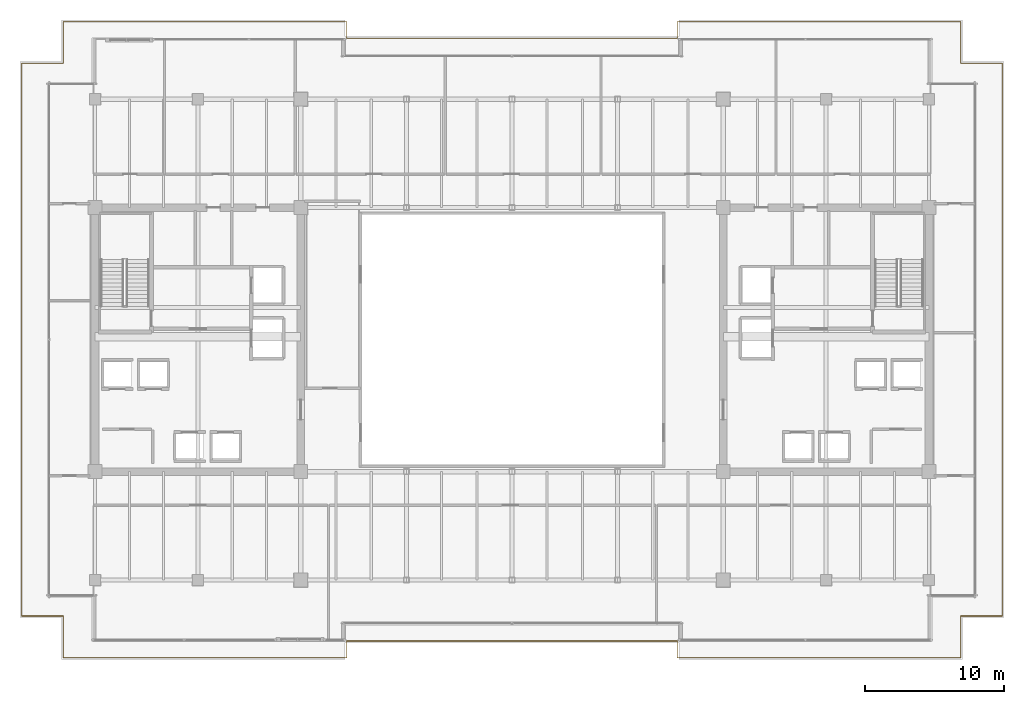
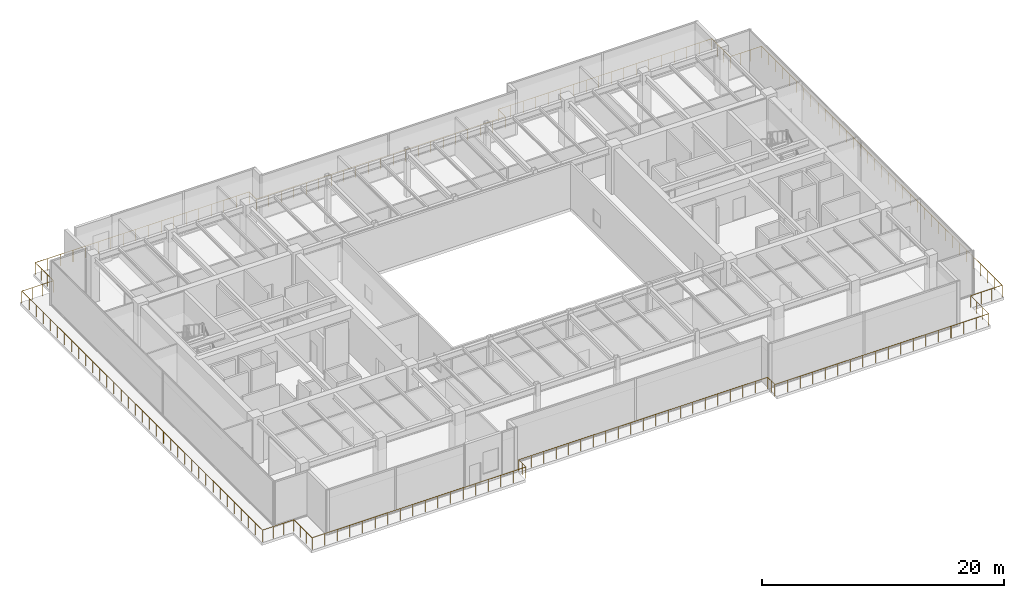
# One storey, part 35 of 37: 1 railing.
"""IFC4 building model written with IfcOpenShell, lengths in metres."""

from ifc_helpers import new_model, si_unit, direction, frame, origin, origin_2d, place, context, subcontext, project, spatial, circle, extrude, source, transform, mapped, material, type_object, type_shapes, element, save


model = new_model("IFC4")

# Units and contexts
model_context = context("Model", 3, precision=1e-05, world=origin(), true_north=direction((0.0, 1.0)))
body_context = subcontext(model_context, "Body", "Model", "MODEL_VIEW")
ifc_project = project(units=[si_unit("LENGTHUNIT", "METRE"), si_unit("AREAUNIT", "SQUARE_METRE"), si_unit("VOLUMEUNIT", "CUBIC_METRE"), si_unit("PLANEANGLEUNIT", "RADIAN"), si_unit("MASSUNIT", "GRAM", prefix="KILO")], contexts=[model_context])

# Site, building, storey
site_placement = place(None, origin())
site = spatial("IfcSite", under=ifc_project, at=site_placement, CompositionType="ELEMENT")
building_placement = place(site_placement, origin())
building = spatial("IfcBuilding", under=site, at=building_placement, Name="Haelvirn Gate Laboratories", CompositionType="ELEMENT")
storey_placement = place(building_placement, frame((0.0, 0.0, 196.60009765625)))
storey = spatial("IfcBuildingStorey", under=building, at=storey_placement, Name="L47", CompositionType="ELEMENT", Elevation=196.60009765625)

# Railing
ifc_material = material(Name="Laminated safety glass & bronze stainless steel 316L", Category="steel")
railing_type = type_object("IfcRailingType", Name="RLG-BAL-1200", PredefinedType="BALUSTRADE", material=ifc_material)
shared_shape = source(origin(), body_context, "Body", "SweptSolid", [
    extrude(circle(Radius=0.02392578125, at=origin_2d()), frame((0.0, 0.0, 1.17578125), z_axis=(1.0, 0.0, 0.0), x_axis=(0.0, 1.0, 0.0)), (0.0, 0.0, 1.0), 20.39990234375),
    extrude(circle(Radius=0.02392578125, at=origin_2d()), frame((20.39990234375, 0.0, 1.17578125), z_axis=(0.0, 1.0, 0.0), x_axis=(-1.0, 0.0, 0.0)), (0.0, 0.0, 1.0), 1.2001953125),
    extrude(circle(Radius=0.02392578125, at=origin_2d()), frame((20.39990234375, 1.2001953125, 1.17578125), z_axis=(1.0, 0.0, 0.0), x_axis=(0.0, 1.0, 0.0)), (0.0, 0.0, 1.0), 23.760009765625),
    extrude(circle(Radius=0.02392578125, at=origin_2d()), frame((44.159912109375, 1.2001953125, 1.17578125), z_axis=(0.0, -1.0, 0.0), x_axis=(1.0, 0.0, 0.0)), (0.0, 0.0, 1.0), 1.2001953125),
    extrude(circle(Radius=0.02392578125, at=origin_2d()), frame((44.159912109375, 0.0, 1.17578125), z_axis=(1.0, 0.0, 0.0), x_axis=(0.0, 1.0, 0.0)), (0.0, 0.0, 1.0), 20.39990234375),
    extrude(circle(Radius=0.02392578125, at=origin_2d()), frame((64.559814453125, 0.0, 1.17578125), z_axis=(0.0, 1.0, 0.0), x_axis=(-1.0, 0.0, 0.0)), (0.0, 0.0, 1.0), 3.0),
    extrude(circle(Radius=0.02392578125, at=origin_2d()), frame((64.559814453125, 3.0, 1.17578125), z_axis=(1.0, 0.0, 0.0), x_axis=(0.0, 1.0, 0.0)), (0.0, 0.0, 1.0), 3.0),
    extrude(circle(Radius=0.02392578125, at=origin_2d()), frame((67.559814453125, 3.0, 1.17578125), z_axis=(0.0, 1.0, 0.0), x_axis=(-1.0, 0.0, 0.0)), (0.0, 0.0, 1.0), 39.760009765625),
    extrude(circle(Radius=0.02392578125, at=origin_2d()), frame((67.559814453125, 42.760009765625, 1.17578125), z_axis=(-1.0, 0.0, 0.0), x_axis=(0.0, -1.0, 0.0)), (0.0, 0.0, 1.0), 3.0),
    extrude(circle(Radius=0.02392578125, at=origin_2d()), frame((64.559814453125, 42.760009765625, 1.17578125), z_axis=(0.0, 1.0, 0.0), x_axis=(-1.0, 0.0, 0.0)), (0.0, 0.0, 1.0), 3.0),
    extrude(circle(Radius=0.02392578125, at=origin_2d()), frame((64.559814453125, 45.760009765625, 1.17578125), z_axis=(-1.0, 0.0, 0.0), x_axis=(0.0, -1.0, 0.0)), (0.0, 0.0, 1.0), 20.39990234375),
    extrude(circle(Radius=0.02392578125, at=origin_2d()), frame((44.159912109375, 45.760009765625, 1.17578125), z_axis=(0.0, -1.0, 0.0), x_axis=(1.0, 0.0, 0.0)), (0.0, 0.0, 1.0), 1.199951171875),
    extrude(circle(Radius=0.02392578125, at=origin_2d()), frame((44.159912109375, 44.56005859375, 1.17578125), z_axis=(-1.0, 0.0, 0.0), x_axis=(0.0, -1.0, 0.0)), (0.0, 0.0, 1.0), 23.760009765625),
    extrude(circle(Radius=0.02392578125, at=origin_2d()), frame((20.39990234375, 44.56005859375, 1.17578125), z_axis=(0.0, 1.0, 0.0), x_axis=(-1.0, 0.0, 0.0)), (0.0, 0.0, 1.0), 1.199951171875),
    extrude(circle(Radius=0.02392578125, at=origin_2d()), frame((20.39990234375, 45.760009765625, 1.17578125), z_axis=(-1.0, 0.0, 0.0), x_axis=(0.0, -1.0, 0.0)), (0.0, 0.0, 1.0), 20.39990234375),
    extrude(circle(Radius=0.02392578125, at=origin_2d()), frame((0.0, 45.760009765625, 1.17578125), z_axis=(0.0, -1.0, 0.0), x_axis=(1.0, 0.0, 0.0)), (0.0, 0.0, 1.0), 3.0),
    extrude(circle(Radius=0.02392578125, at=origin_2d()), frame((0.0, 42.760009765625, 1.17578125), z_axis=(-1.0, 0.0, 0.0), x_axis=(0.0, -1.0, 0.0)), (0.0, 0.0, 1.0), 3.0),
    extrude(circle(Radius=0.02392578125, at=origin_2d()), frame((-3.0, 42.760009765625, 1.17578125), z_axis=(0.0, -1.0, 0.0), x_axis=(1.0, 0.0, 0.0)), (0.0, 0.0, 1.0), 39.760009765625),
    extrude(circle(Radius=0.02392578125, at=origin_2d()), frame((-3.0, 3.0, 1.17578125), z_axis=(1.0, 0.0, 0.0), x_axis=(0.0, 1.0, 0.0)), (0.0, 0.0, 1.0), 3.0),
    extrude(circle(Radius=0.02392578125, at=origin_2d()), frame((0.0, 3.0, 1.17578125), z_axis=(0.0, -1.0, 0.0), x_axis=(1.0, 0.0, 0.0)), (0.0, 0.0, 1.0), 3.0),
    extrude(circle(Radius=0.02099609375, at=origin_2d()), origin(), (0.0, 0.0, 1.0), 1.15185546875),
    extrude(circle(Radius=0.02099609375, at=origin_2d()), frame((1.199951171875, 0.0, 0.0)), (0.0, 0.0, 1.0), 1.15185546875),
    extrude(circle(Radius=0.02099609375, at=origin_2d()), frame((2.39990234375, 0.0, 0.0)), (0.0, 0.0, 1.0), 1.15185546875),
    extrude(circle(Radius=0.02099609375, at=origin_2d()), frame((3.60009765625, 0.0, 0.0)), (0.0, 0.0, 1.0), 1.15185546875),
    extrude(circle(Radius=0.02099609375, at=origin_2d()), frame((4.800048828125, 0.0, 0.0)), (0.0, 0.0, 1.0), 1.15185546875),
    extrude(circle(Radius=0.02099609375, at=origin_2d()), frame((6.0, 0.0, 0.0)), (0.0, 0.0, 1.0), 1.15185546875),
    extrude(circle(Radius=0.02099609375, at=origin_2d()), frame((7.199951171875, 0.0, 0.0)), (0.0, 0.0, 1.0), 1.15185546875),
    extrude(circle(Radius=0.02099609375, at=origin_2d()), frame((8.39990234375, 0.0, 0.0)), (0.0, 0.0, 1.0), 1.15185546875),
    extrude(circle(Radius=0.02099609375, at=origin_2d()), frame((9.599853515625, 0.0, 0.0)), (0.0, 0.0, 1.0), 1.15185546875),
    extrude(circle(Radius=0.02099609375, at=origin_2d()), frame((10.800048828125, 0.0, 0.0)), (0.0, 0.0, 1.0), 1.15185546875),
    extrude(circle(Radius=0.02099609375, at=origin_2d()), frame((12.0, 0.0, 0.0)), (0.0, 0.0, 1.0), 1.15185546875),
    extrude(circle(Radius=0.02099609375, at=origin_2d()), frame((13.199951171875, 0.0, 0.0)), (0.0, 0.0, 1.0), 1.15185546875),
    extrude(circle(Radius=0.02099609375, at=origin_2d()), frame((14.39990234375, 0.0, 0.0)), (0.0, 0.0, 1.0), 1.15185546875),
    extrude(circle(Radius=0.02099609375, at=origin_2d()), frame((15.599853515625, 0.0, 0.0)), (0.0, 0.0, 1.0), 1.15185546875),
    extrude(circle(Radius=0.02099609375, at=origin_2d()), frame((16.7998046875, 0.0, 0.0)), (0.0, 0.0, 1.0), 1.15185546875),
    extrude(circle(Radius=0.02099609375, at=origin_2d()), frame((18.0, 0.0, 0.0)), (0.0, 0.0, 1.0), 1.15185546875),
    extrude(circle(Radius=0.02099609375, at=origin_2d()), frame((19.199951171875, 0.0, 0.0)), (0.0, 0.0, 1.0), 1.15185546875),
    extrude(circle(Radius=0.02099609375, at=origin_2d()), frame((20.39990234375, 0.0, 0.0)), (0.0, 0.0, 1.0), 1.15185546875),
    extrude(circle(Radius=0.02099609375, at=origin_2d()), frame((20.39990234375, 0.60009765625, 0.0)), (0.0, 0.0, 1.0), 1.15185546875),
    extrude(circle(Radius=0.02099609375, at=origin_2d()), frame((20.39990234375, 1.2001953125, 0.0)), (0.0, 0.0, 1.0), 1.15185546875),
    extrude(circle(Radius=0.02099609375, at=origin_2d()), frame((21.587890625, 1.2001953125, 0.0)), (0.0, 0.0, 1.0), 1.15185546875),
    extrude(circle(Radius=0.02099609375, at=origin_2d()), frame((22.77587890625, 1.2001953125, 0.0)), (0.0, 0.0, 1.0), 1.15185546875),
    extrude(circle(Radius=0.02099609375, at=origin_2d()), frame((23.9638671875, 1.2001953125, 0.0)), (0.0, 0.0, 1.0), 1.15185546875),
    extrude(circle(Radius=0.02099609375, at=origin_2d()), frame((25.15185546875, 1.2001953125, 0.0)), (0.0, 0.0, 1.0), 1.15185546875),
    extrude(circle(Radius=0.02099609375, at=origin_2d()), frame((26.33984375, 1.2001953125, 0.0)), (0.0, 0.0, 1.0), 1.15185546875),
    extrude(circle(Radius=0.02099609375, at=origin_2d()), frame((27.52783203125, 1.2001953125, 0.0)), (0.0, 0.0, 1.0), 1.15185546875),
    extrude(circle(Radius=0.02099609375, at=origin_2d()), frame((28.7158203125, 1.2001953125, 0.0)), (0.0, 0.0, 1.0), 1.15185546875),
    extrude(circle(Radius=0.02099609375, at=origin_2d()), frame((29.90380859375, 1.2001953125, 0.0)), (0.0, 0.0, 1.0), 1.15185546875),
    extrude(circle(Radius=0.02099609375, at=origin_2d()), frame((31.091796875, 1.2001953125, 0.0)), (0.0, 0.0, 1.0), 1.15185546875),
    extrude(circle(Radius=0.02099609375, at=origin_2d()), frame((32.27978515625, 1.2001953125, 0.0)), (0.0, 0.0, 1.0), 1.15185546875),
    extrude(circle(Radius=0.02099609375, at=origin_2d()), frame((33.468017578125, 1.2001953125, 0.0)), (0.0, 0.0, 1.0), 1.15185546875),
    extrude(circle(Radius=0.02099609375, at=origin_2d()), frame((34.656005859375, 1.2001953125, 0.0)), (0.0, 0.0, 1.0), 1.15185546875),
    extrude(circle(Radius=0.02099609375, at=origin_2d()), frame((35.843994140625, 1.2001953125, 0.0)), (0.0, 0.0, 1.0), 1.15185546875),
    extrude(circle(Radius=0.02099609375, at=origin_2d()), frame((37.031982421875, 1.2001953125, 0.0)), (0.0, 0.0, 1.0), 1.15185546875),
    extrude(circle(Radius=0.02099609375, at=origin_2d()), frame((38.219970703125, 1.2001953125, 0.0)), (0.0, 0.0, 1.0), 1.15185546875),
    extrude(circle(Radius=0.02099609375, at=origin_2d()), frame((39.407958984375, 1.2001953125, 0.0)), (0.0, 0.0, 1.0), 1.15185546875),
    extrude(circle(Radius=0.02099609375, at=origin_2d()), frame((40.595947265625, 1.2001953125, 0.0)), (0.0, 0.0, 1.0), 1.15185546875),
    extrude(circle(Radius=0.02099609375, at=origin_2d()), frame((41.783935546875, 1.2001953125, 0.0)), (0.0, 0.0, 1.0), 1.15185546875),
    extrude(circle(Radius=0.02099609375, at=origin_2d()), frame((42.971923828125, 1.2001953125, 0.0)), (0.0, 0.0, 1.0), 1.15185546875),
    extrude(circle(Radius=0.02099609375, at=origin_2d()), frame((44.159912109375, 1.2001953125, 0.0)), (0.0, 0.0, 1.0), 1.15185546875),
    extrude(circle(Radius=0.02099609375, at=origin_2d()), frame((44.159912109375, 0.60009765625, 0.0)), (0.0, 0.0, 1.0), 1.15185546875),
    extrude(circle(Radius=0.02099609375, at=origin_2d()), frame((44.159912109375, 0.0, 0.0)), (0.0, 0.0, 1.0), 1.15185546875),
    extrude(circle(Radius=0.02099609375, at=origin_2d()), frame((45.35986328125, 0.0, 0.0)), (0.0, 0.0, 1.0), 1.15185546875),
    extrude(circle(Radius=0.02099609375, at=origin_2d()), frame((46.559814453125, 0.0, 0.0)), (0.0, 0.0, 1.0), 1.15185546875),
    extrude(circle(Radius=0.02099609375, at=origin_2d()), frame((47.760009765625, 0.0, 0.0)), (0.0, 0.0, 1.0), 1.15185546875),
    extrude(circle(Radius=0.02099609375, at=origin_2d()), frame((48.9599609375, 0.0, 0.0)), (0.0, 0.0, 1.0), 1.15185546875),
    extrude(circle(Radius=0.02099609375, at=origin_2d()), frame((50.159912109375, 0.0, 0.0)), (0.0, 0.0, 1.0), 1.15185546875),
    extrude(circle(Radius=0.02099609375, at=origin_2d()), frame((51.35986328125, 0.0, 0.0)), (0.0, 0.0, 1.0), 1.15185546875),
    extrude(circle(Radius=0.02099609375, at=origin_2d()), frame((52.559814453125, 0.0, 0.0)), (0.0, 0.0, 1.0), 1.15185546875),
    extrude(circle(Radius=0.02099609375, at=origin_2d()), frame((53.759765625, 0.0, 0.0)), (0.0, 0.0, 1.0), 1.15185546875),
    extrude(circle(Radius=0.02099609375, at=origin_2d()), frame((54.9599609375, 0.0, 0.0)), (0.0, 0.0, 1.0), 1.15185546875),
    extrude(circle(Radius=0.02099609375, at=origin_2d()), frame((56.159912109375, 0.0, 0.0)), (0.0, 0.0, 1.0), 1.15185546875),
    extrude(circle(Radius=0.02099609375, at=origin_2d()), frame((57.35986328125, 0.0, 0.0)), (0.0, 0.0, 1.0), 1.15185546875),
    extrude(circle(Radius=0.02099609375, at=origin_2d()), frame((58.559814453125, 0.0, 0.0)), (0.0, 0.0, 1.0), 1.15185546875),
    extrude(circle(Radius=0.02099609375, at=origin_2d()), frame((59.759765625, 0.0, 0.0)), (0.0, 0.0, 1.0), 1.15185546875),
    extrude(circle(Radius=0.02099609375, at=origin_2d()), frame((60.959716796875, 0.0, 0.0)), (0.0, 0.0, 1.0), 1.15185546875),
    extrude(circle(Radius=0.02099609375, at=origin_2d()), frame((62.159912109375, 0.0, 0.0)), (0.0, 0.0, 1.0), 1.15185546875),
    extrude(circle(Radius=0.02099609375, at=origin_2d()), frame((63.35986328125, 0.0, 0.0)), (0.0, 0.0, 1.0), 1.15185546875),
    extrude(circle(Radius=0.02099609375, at=origin_2d()), frame((64.559814453125, 0.0, 0.0)), (0.0, 0.0, 1.0), 1.15185546875),
    extrude(circle(Radius=0.02099609375, at=origin_2d()), frame((64.559814453125, 1.0, 0.0)), (0.0, 0.0, 1.0), 1.15185546875),
    extrude(circle(Radius=0.02099609375, at=origin_2d()), frame((64.559814453125, 2.0, 0.0)), (0.0, 0.0, 1.0), 1.15185546875),
    extrude(circle(Radius=0.02099609375, at=origin_2d()), frame((64.559814453125, 3.0, 0.0)), (0.0, 0.0, 1.0), 1.15185546875),
    extrude(circle(Radius=0.02099609375, at=origin_2d()), frame((65.559814453125, 3.0, 0.0)), (0.0, 0.0, 1.0), 1.15185546875),
    extrude(circle(Radius=0.02099609375, at=origin_2d()), frame((66.559814453125, 3.0, 0.0)), (0.0, 0.0, 1.0), 1.15185546875),
    extrude(circle(Radius=0.02099609375, at=origin_2d()), frame((67.559814453125, 3.0, 0.0)), (0.0, 0.0, 1.0), 1.15185546875),
    extrude(circle(Radius=0.02099609375, at=origin_2d()), frame((67.559814453125, 4.16943359375, 0.0)), (0.0, 0.0, 1.0), 1.15185546875),
    extrude(circle(Radius=0.02099609375, at=origin_2d()), frame((67.559814453125, 5.3388671875, 0.0)), (0.0, 0.0, 1.0), 1.15185546875),
    extrude(circle(Radius=0.02099609375, at=origin_2d()), frame((67.559814453125, 6.50830078125, 0.0)), (0.0, 0.0, 1.0), 1.15185546875),
    extrude(circle(Radius=0.02099609375, at=origin_2d()), frame((67.559814453125, 7.677734375, 0.0)), (0.0, 0.0, 1.0), 1.15185546875),
    extrude(circle(Radius=0.02099609375, at=origin_2d()), frame((67.559814453125, 8.84716796875, 0.0)), (0.0, 0.0, 1.0), 1.15185546875),
    extrude(circle(Radius=0.02099609375, at=origin_2d()), frame((67.559814453125, 10.016357421875, 0.0)), (0.0, 0.0, 1.0), 1.15185546875),
    extrude(circle(Radius=0.02099609375, at=origin_2d()), frame((67.559814453125, 11.185791015625, 0.0)), (0.0, 0.0, 1.0), 1.15185546875),
    extrude(circle(Radius=0.02099609375, at=origin_2d()), frame((67.559814453125, 12.355224609375, 0.0)), (0.0, 0.0, 1.0), 1.15185546875),
    extrude(circle(Radius=0.02099609375, at=origin_2d()), frame((67.559814453125, 13.524658203125, 0.0)), (0.0, 0.0, 1.0), 1.15185546875),
    extrude(circle(Radius=0.02099609375, at=origin_2d()), frame((67.559814453125, 14.694091796875, 0.0)), (0.0, 0.0, 1.0), 1.15185546875),
    extrude(circle(Radius=0.02099609375, at=origin_2d()), frame((67.559814453125, 15.863525390625, 0.0)), (0.0, 0.0, 1.0), 1.15185546875),
    extrude(circle(Radius=0.02099609375, at=origin_2d()), frame((67.559814453125, 17.032958984375, 0.0)), (0.0, 0.0, 1.0), 1.15185546875),
    extrude(circle(Radius=0.02099609375, at=origin_2d()), frame((67.559814453125, 18.202392578125, 0.0)), (0.0, 0.0, 1.0), 1.15185546875),
    extrude(circle(Radius=0.02099609375, at=origin_2d()), frame((67.559814453125, 19.371826171875, 0.0)), (0.0, 0.0, 1.0), 1.15185546875),
    extrude(circle(Radius=0.02099609375, at=origin_2d()), frame((67.559814453125, 20.541259765625, 0.0)), (0.0, 0.0, 1.0), 1.15185546875),
    extrude(circle(Radius=0.02099609375, at=origin_2d()), frame((67.559814453125, 21.710693359375, 0.0)), (0.0, 0.0, 1.0), 1.15185546875),
    extrude(circle(Radius=0.02099609375, at=origin_2d()), frame((67.559814453125, 22.8798828125, 0.0)), (0.0, 0.0, 1.0), 1.15185546875),
    extrude(circle(Radius=0.02099609375, at=origin_2d()), frame((67.559814453125, 24.04931640625, 0.0)), (0.0, 0.0, 1.0), 1.15185546875),
    extrude(circle(Radius=0.02099609375, at=origin_2d()), frame((67.559814453125, 25.21875, 0.0)), (0.0, 0.0, 1.0), 1.15185546875),
    extrude(circle(Radius=0.02099609375, at=origin_2d()), frame((67.559814453125, 26.38818359375, 0.0)), (0.0, 0.0, 1.0), 1.15185546875),
    extrude(circle(Radius=0.02099609375, at=origin_2d()), frame((67.559814453125, 27.5576171875, 0.0)), (0.0, 0.0, 1.0), 1.15185546875),
    extrude(circle(Radius=0.02099609375, at=origin_2d()), frame((67.559814453125, 28.72705078125, 0.0)), (0.0, 0.0, 1.0), 1.15185546875),
    extrude(circle(Radius=0.02099609375, at=origin_2d()), frame((67.559814453125, 29.896484375, 0.0)), (0.0, 0.0, 1.0), 1.15185546875),
    extrude(circle(Radius=0.02099609375, at=origin_2d()), frame((67.559814453125, 31.06591796875, 0.0)), (0.0, 0.0, 1.0), 1.15185546875),
    extrude(circle(Radius=0.02099609375, at=origin_2d()), frame((67.559814453125, 32.2353515625, 0.0)), (0.0, 0.0, 1.0), 1.15185546875),
    extrude(circle(Radius=0.02099609375, at=origin_2d()), frame((67.559814453125, 33.40478515625, 0.0)), (0.0, 0.0, 1.0), 1.15185546875),
    extrude(circle(Radius=0.02099609375, at=origin_2d()), frame((67.559814453125, 34.57421875, 0.0)), (0.0, 0.0, 1.0), 1.15185546875),
    extrude(circle(Radius=0.02099609375, at=origin_2d()), frame((67.559814453125, 35.74365234375, 0.0)), (0.0, 0.0, 1.0), 1.15185546875),
    extrude(circle(Radius=0.02099609375, at=origin_2d()), frame((67.559814453125, 36.912841796875, 0.0)), (0.0, 0.0, 1.0), 1.15185546875),
    extrude(circle(Radius=0.02099609375, at=origin_2d()), frame((67.559814453125, 38.082275390625, 0.0)), (0.0, 0.0, 1.0), 1.15185546875),
    extrude(circle(Radius=0.02099609375, at=origin_2d()), frame((67.559814453125, 39.251708984375, 0.0)), (0.0, 0.0, 1.0), 1.15185546875),
    extrude(circle(Radius=0.02099609375, at=origin_2d()), frame((67.559814453125, 40.421142578125, 0.0)), (0.0, 0.0, 1.0), 1.15185546875),
    extrude(circle(Radius=0.02099609375, at=origin_2d()), frame((67.559814453125, 41.590576171875, 0.0)), (0.0, 0.0, 1.0), 1.15185546875),
    extrude(circle(Radius=0.02099609375, at=origin_2d()), frame((67.559814453125, 42.760009765625, 0.0)), (0.0, 0.0, 1.0), 1.15185546875),
    extrude(circle(Radius=0.02099609375, at=origin_2d()), frame((66.559814453125, 42.760009765625, 0.0)), (0.0, 0.0, 1.0), 1.15185546875),
    extrude(circle(Radius=0.02099609375, at=origin_2d()), frame((65.559814453125, 42.760009765625, 0.0)), (0.0, 0.0, 1.0), 1.15185546875),
    extrude(circle(Radius=0.02099609375, at=origin_2d()), frame((64.559814453125, 42.760009765625, 0.0)), (0.0, 0.0, 1.0), 1.15185546875),
    extrude(circle(Radius=0.02099609375, at=origin_2d()), frame((64.559814453125, 43.760009765625, 0.0)), (0.0, 0.0, 1.0), 1.15185546875),
    extrude(circle(Radius=0.02099609375, at=origin_2d()), frame((64.559814453125, 44.760009765625, 0.0)), (0.0, 0.0, 1.0), 1.15185546875),
    extrude(circle(Radius=0.02099609375, at=origin_2d()), frame((64.559814453125, 45.760009765625, 0.0)), (0.0, 0.0, 1.0), 1.15185546875),
    extrude(circle(Radius=0.02099609375, at=origin_2d()), frame((63.35986328125, 45.760009765625, 0.0)), (0.0, 0.0, 1.0), 1.15185546875),
    extrude(circle(Radius=0.02099609375, at=origin_2d()), frame((62.159912109375, 45.760009765625, 0.0)), (0.0, 0.0, 1.0), 1.15185546875),
    extrude(circle(Radius=0.02099609375, at=origin_2d()), frame((60.959716796875, 45.760009765625, 0.0)), (0.0, 0.0, 1.0), 1.15185546875),
    extrude(circle(Radius=0.02099609375, at=origin_2d()), frame((59.759765625, 45.760009765625, 0.0)), (0.0, 0.0, 1.0), 1.15185546875),
    extrude(circle(Radius=0.02099609375, at=origin_2d()), frame((58.559814453125, 45.760009765625, 0.0)), (0.0, 0.0, 1.0), 1.15185546875),
    extrude(circle(Radius=0.02099609375, at=origin_2d()), frame((57.35986328125, 45.760009765625, 0.0)), (0.0, 0.0, 1.0), 1.15185546875),
    extrude(circle(Radius=0.02099609375, at=origin_2d()), frame((56.159912109375, 45.760009765625, 0.0)), (0.0, 0.0, 1.0), 1.15185546875),
    extrude(circle(Radius=0.02099609375, at=origin_2d()), frame((54.9599609375, 45.760009765625, 0.0)), (0.0, 0.0, 1.0), 1.15185546875),
    extrude(circle(Radius=0.02099609375, at=origin_2d()), frame((53.759765625, 45.760009765625, 0.0)), (0.0, 0.0, 1.0), 1.15185546875),
    extrude(circle(Radius=0.02099609375, at=origin_2d()), frame((52.559814453125, 45.760009765625, 0.0)), (0.0, 0.0, 1.0), 1.15185546875),
    extrude(circle(Radius=0.02099609375, at=origin_2d()), frame((51.35986328125, 45.760009765625, 0.0)), (0.0, 0.0, 1.0), 1.15185546875),
    extrude(circle(Radius=0.02099609375, at=origin_2d()), frame((50.159912109375, 45.760009765625, 0.0)), (0.0, 0.0, 1.0), 1.15185546875),
    extrude(circle(Radius=0.02099609375, at=origin_2d()), frame((48.9599609375, 45.760009765625, 0.0)), (0.0, 0.0, 1.0), 1.15185546875),
    extrude(circle(Radius=0.02099609375, at=origin_2d()), frame((47.760009765625, 45.760009765625, 0.0)), (0.0, 0.0, 1.0), 1.15185546875),
    extrude(circle(Radius=0.02099609375, at=origin_2d()), frame((46.559814453125, 45.760009765625, 0.0)), (0.0, 0.0, 1.0), 1.15185546875),
    extrude(circle(Radius=0.02099609375, at=origin_2d()), frame((45.35986328125, 45.760009765625, 0.0)), (0.0, 0.0, 1.0), 1.15185546875),
    extrude(circle(Radius=0.02099609375, at=origin_2d()), frame((44.159912109375, 45.760009765625, 0.0)), (0.0, 0.0, 1.0), 1.15185546875),
    extrude(circle(Radius=0.02099609375, at=origin_2d()), frame((44.159912109375, 44.56005859375, 0.0)), (0.0, 0.0, 1.0), 1.15185546875),
    extrude(circle(Radius=0.02099609375, at=origin_2d()), frame((42.971923828125, 44.56005859375, 0.0)), (0.0, 0.0, 1.0), 1.15185546875),
    extrude(circle(Radius=0.02099609375, at=origin_2d()), frame((41.783935546875, 44.56005859375, 0.0)), (0.0, 0.0, 1.0), 1.15185546875),
    extrude(circle(Radius=0.02099609375, at=origin_2d()), frame((40.595947265625, 44.56005859375, 0.0)), (0.0, 0.0, 1.0), 1.15185546875),
    extrude(circle(Radius=0.02099609375, at=origin_2d()), frame((39.407958984375, 44.56005859375, 0.0)), (0.0, 0.0, 1.0), 1.15185546875),
    extrude(circle(Radius=0.02099609375, at=origin_2d()), frame((38.219970703125, 44.56005859375, 0.0)), (0.0, 0.0, 1.0), 1.15185546875),
    extrude(circle(Radius=0.02099609375, at=origin_2d()), frame((37.031982421875, 44.56005859375, 0.0)), (0.0, 0.0, 1.0), 1.15185546875),
    extrude(circle(Radius=0.02099609375, at=origin_2d()), frame((35.843994140625, 44.56005859375, 0.0)), (0.0, 0.0, 1.0), 1.15185546875),
    extrude(circle(Radius=0.02099609375, at=origin_2d()), frame((34.656005859375, 44.56005859375, 0.0)), (0.0, 0.0, 1.0), 1.15185546875),
    extrude(circle(Radius=0.02099609375, at=origin_2d()), frame((33.468017578125, 44.56005859375, 0.0)), (0.0, 0.0, 1.0), 1.15185546875),
    extrude(circle(Radius=0.02099609375, at=origin_2d()), frame((32.27978515625, 44.56005859375, 0.0)), (0.0, 0.0, 1.0), 1.15185546875),
    extrude(circle(Radius=0.02099609375, at=origin_2d()), frame((31.091796875, 44.56005859375, 0.0)), (0.0, 0.0, 1.0), 1.15185546875),
    extrude(circle(Radius=0.02099609375, at=origin_2d()), frame((29.90380859375, 44.56005859375, 0.0)), (0.0, 0.0, 1.0), 1.15185546875),
    extrude(circle(Radius=0.02099609375, at=origin_2d()), frame((28.7158203125, 44.56005859375, 0.0)), (0.0, 0.0, 1.0), 1.15185546875),
    extrude(circle(Radius=0.02099609375, at=origin_2d()), frame((27.52783203125, 44.56005859375, 0.0)), (0.0, 0.0, 1.0), 1.15185546875),
    extrude(circle(Radius=0.02099609375, at=origin_2d()), frame((26.33984375, 44.56005859375, 0.0)), (0.0, 0.0, 1.0), 1.15185546875),
    extrude(circle(Radius=0.02099609375, at=origin_2d()), frame((25.15185546875, 44.56005859375, 0.0)), (0.0, 0.0, 1.0), 1.15185546875),
    extrude(circle(Radius=0.02099609375, at=origin_2d()), frame((23.9638671875, 44.56005859375, 0.0)), (0.0, 0.0, 1.0), 1.15185546875),
    extrude(circle(Radius=0.02099609375, at=origin_2d()), frame((22.77587890625, 44.56005859375, 0.0)), (0.0, 0.0, 1.0), 1.15185546875),
    extrude(circle(Radius=0.02099609375, at=origin_2d()), frame((21.587890625, 44.56005859375, 0.0)), (0.0, 0.0, 1.0), 1.15185546875),
    extrude(circle(Radius=0.02099609375, at=origin_2d()), frame((20.39990234375, 44.56005859375, 0.0)), (0.0, 0.0, 1.0), 1.15185546875),
    extrude(circle(Radius=0.02099609375, at=origin_2d()), frame((20.39990234375, 45.760009765625, 0.0)), (0.0, 0.0, 1.0), 1.15185546875),
    extrude(circle(Radius=0.02099609375, at=origin_2d()), frame((19.199951171875, 45.760009765625, 0.0)), (0.0, 0.0, 1.0), 1.15185546875),
    extrude(circle(Radius=0.02099609375, at=origin_2d()), frame((18.0, 45.760009765625, 0.0)), (0.0, 0.0, 1.0), 1.15185546875),
    extrude(circle(Radius=0.02099609375, at=origin_2d()), frame((16.7998046875, 45.760009765625, 0.0)), (0.0, 0.0, 1.0), 1.15185546875),
    extrude(circle(Radius=0.02099609375, at=origin_2d()), frame((15.599853515625, 45.760009765625, 0.0)), (0.0, 0.0, 1.0), 1.15185546875),
    extrude(circle(Radius=0.02099609375, at=origin_2d()), frame((14.39990234375, 45.760009765625, 0.0)), (0.0, 0.0, 1.0), 1.15185546875),
    extrude(circle(Radius=0.02099609375, at=origin_2d()), frame((13.199951171875, 45.760009765625, 0.0)), (0.0, 0.0, 1.0), 1.15185546875),
    extrude(circle(Radius=0.02099609375, at=origin_2d()), frame((12.0, 45.760009765625, 0.0)), (0.0, 0.0, 1.0), 1.15185546875),
    extrude(circle(Radius=0.02099609375, at=origin_2d()), frame((10.800048828125, 45.760009765625, 0.0)), (0.0, 0.0, 1.0), 1.15185546875),
    extrude(circle(Radius=0.02099609375, at=origin_2d()), frame((9.599853515625, 45.760009765625, 0.0)), (0.0, 0.0, 1.0), 1.15185546875),
    extrude(circle(Radius=0.02099609375, at=origin_2d()), frame((8.39990234375, 45.760009765625, 0.0)), (0.0, 0.0, 1.0), 1.15185546875),
    extrude(circle(Radius=0.02099609375, at=origin_2d()), frame((7.199951171875, 45.760009765625, 0.0)), (0.0, 0.0, 1.0), 1.15185546875),
    extrude(circle(Radius=0.02099609375, at=origin_2d()), frame((6.0, 45.760009765625, 0.0)), (0.0, 0.0, 1.0), 1.15185546875),
    extrude(circle(Radius=0.02099609375, at=origin_2d()), frame((4.800048828125, 45.760009765625, 0.0)), (0.0, 0.0, 1.0), 1.15185546875),
    extrude(circle(Radius=0.02099609375, at=origin_2d()), frame((3.60009765625, 45.760009765625, 0.0)), (0.0, 0.0, 1.0), 1.15185546875),
    extrude(circle(Radius=0.02099609375, at=origin_2d()), frame((2.39990234375, 45.760009765625, 0.0)), (0.0, 0.0, 1.0), 1.15185546875),
    extrude(circle(Radius=0.02099609375, at=origin_2d()), frame((1.199951171875, 45.760009765625, 0.0)), (0.0, 0.0, 1.0), 1.15185546875),
    extrude(circle(Radius=0.02099609375, at=origin_2d()), frame((0.0, 45.760009765625, 0.0)), (0.0, 0.0, 1.0), 1.15185546875),
    extrude(circle(Radius=0.02099609375, at=origin_2d()), frame((0.0, 44.760009765625, 0.0)), (0.0, 0.0, 1.0), 1.15185546875),
    extrude(circle(Radius=0.02099609375, at=origin_2d()), frame((0.0, 43.760009765625, 0.0)), (0.0, 0.0, 1.0), 1.15185546875),
    extrude(circle(Radius=0.02099609375, at=origin_2d()), frame((0.0, 42.760009765625, 0.0)), (0.0, 0.0, 1.0), 1.15185546875),
    extrude(circle(Radius=0.02099609375, at=origin_2d()), frame((-1.0, 42.760009765625, 0.0)), (0.0, 0.0, 1.0), 1.15185546875),
    extrude(circle(Radius=0.02099609375, at=origin_2d()), frame((-2.0, 42.760009765625, 0.0)), (0.0, 0.0, 1.0), 1.15185546875),
    extrude(circle(Radius=0.02099609375, at=origin_2d()), frame((-3.0, 42.760009765625, 0.0)), (0.0, 0.0, 1.0), 1.15185546875),
    extrude(circle(Radius=0.02099609375, at=origin_2d()), frame((-3.0, 41.590576171875, 0.0)), (0.0, 0.0, 1.0), 1.15185546875),
    extrude(circle(Radius=0.02099609375, at=origin_2d()), frame((-3.0, 40.421142578125, 0.0)), (0.0, 0.0, 1.0), 1.15185546875),
    extrude(circle(Radius=0.02099609375, at=origin_2d()), frame((-3.0, 39.251708984375, 0.0)), (0.0, 0.0, 1.0), 1.15185546875),
    extrude(circle(Radius=0.02099609375, at=origin_2d()), frame((-3.0, 38.082275390625, 0.0)), (0.0, 0.0, 1.0), 1.15185546875),
    extrude(circle(Radius=0.02099609375, at=origin_2d()), frame((-3.0, 36.912841796875, 0.0)), (0.0, 0.0, 1.0), 1.15185546875),
    extrude(circle(Radius=0.02099609375, at=origin_2d()), frame((-3.0, 35.74365234375, 0.0)), (0.0, 0.0, 1.0), 1.15185546875),
    extrude(circle(Radius=0.02099609375, at=origin_2d()), frame((-3.0, 34.57421875, 0.0)), (0.0, 0.0, 1.0), 1.15185546875),
    extrude(circle(Radius=0.02099609375, at=origin_2d()), frame((-3.0, 33.40478515625, 0.0)), (0.0, 0.0, 1.0), 1.15185546875),
    extrude(circle(Radius=0.02099609375, at=origin_2d()), frame((-3.0, 32.2353515625, 0.0)), (0.0, 0.0, 1.0), 1.15185546875),
    extrude(circle(Radius=0.02099609375, at=origin_2d()), frame((-3.0, 31.06591796875, 0.0)), (0.0, 0.0, 1.0), 1.15185546875),
    extrude(circle(Radius=0.02099609375, at=origin_2d()), frame((-3.0, 29.896484375, 0.0)), (0.0, 0.0, 1.0), 1.15185546875),
    extrude(circle(Radius=0.02099609375, at=origin_2d()), frame((-3.0, 28.72705078125, 0.0)), (0.0, 0.0, 1.0), 1.15185546875),
    extrude(circle(Radius=0.02099609375, at=origin_2d()), frame((-3.0, 27.5576171875, 0.0)), (0.0, 0.0, 1.0), 1.15185546875),
    extrude(circle(Radius=0.02099609375, at=origin_2d()), frame((-3.0, 26.38818359375, 0.0)), (0.0, 0.0, 1.0), 1.15185546875),
    extrude(circle(Radius=0.02099609375, at=origin_2d()), frame((-3.0, 25.21875, 0.0)), (0.0, 0.0, 1.0), 1.15185546875),
    extrude(circle(Radius=0.02099609375, at=origin_2d()), frame((-3.0, 24.04931640625, 0.0)), (0.0, 0.0, 1.0), 1.15185546875),
    extrude(circle(Radius=0.02099609375, at=origin_2d()), frame((-3.0, 22.8798828125, 0.0)), (0.0, 0.0, 1.0), 1.15185546875),
    extrude(circle(Radius=0.02099609375, at=origin_2d()), frame((-3.0, 21.710693359375, 0.0)), (0.0, 0.0, 1.0), 1.15185546875),
    extrude(circle(Radius=0.02099609375, at=origin_2d()), frame((-3.0, 20.541259765625, 0.0)), (0.0, 0.0, 1.0), 1.15185546875),
    extrude(circle(Radius=0.02099609375, at=origin_2d()), frame((-3.0, 19.371826171875, 0.0)), (0.0, 0.0, 1.0), 1.15185546875),
    extrude(circle(Radius=0.02099609375, at=origin_2d()), frame((-3.0, 18.202392578125, 0.0)), (0.0, 0.0, 1.0), 1.15185546875),
    extrude(circle(Radius=0.02099609375, at=origin_2d()), frame((-3.0, 17.032958984375, 0.0)), (0.0, 0.0, 1.0), 1.15185546875),
    extrude(circle(Radius=0.02099609375, at=origin_2d()), frame((-3.0, 15.863525390625, 0.0)), (0.0, 0.0, 1.0), 1.15185546875),
    extrude(circle(Radius=0.02099609375, at=origin_2d()), frame((-3.0, 14.694091796875, 0.0)), (0.0, 0.0, 1.0), 1.15185546875),
    extrude(circle(Radius=0.02099609375, at=origin_2d()), frame((-3.0, 13.524658203125, 0.0)), (0.0, 0.0, 1.0), 1.15185546875),
    extrude(circle(Radius=0.02099609375, at=origin_2d()), frame((-3.0, 12.355224609375, 0.0)), (0.0, 0.0, 1.0), 1.15185546875),
    extrude(circle(Radius=0.02099609375, at=origin_2d()), frame((-3.0, 11.185791015625, 0.0)), (0.0, 0.0, 1.0), 1.15185546875),
    extrude(circle(Radius=0.02099609375, at=origin_2d()), frame((-3.0, 10.016357421875, 0.0)), (0.0, 0.0, 1.0), 1.15185546875),
    extrude(circle(Radius=0.02099609375, at=origin_2d()), frame((-3.0, 8.84716796875, 0.0)), (0.0, 0.0, 1.0), 1.15185546875),
    extrude(circle(Radius=0.02099609375, at=origin_2d()), frame((-3.0, 7.677734375, 0.0)), (0.0, 0.0, 1.0), 1.15185546875),
    extrude(circle(Radius=0.02099609375, at=origin_2d()), frame((-3.0, 6.50830078125, 0.0)), (0.0, 0.0, 1.0), 1.15185546875),
    extrude(circle(Radius=0.02099609375, at=origin_2d()), frame((-3.0, 5.3388671875, 0.0)), (0.0, 0.0, 1.0), 1.15185546875),
    extrude(circle(Radius=0.02099609375, at=origin_2d()), frame((-3.0, 4.16943359375, 0.0)), (0.0, 0.0, 1.0), 1.15185546875),
    extrude(circle(Radius=0.02099609375, at=origin_2d()), frame((-3.0, 3.0, 0.0)), (0.0, 0.0, 1.0), 1.15185546875),
    extrude(circle(Radius=0.02099609375, at=origin_2d()), frame((-2.0, 3.0, 0.0)), (0.0, 0.0, 1.0), 1.15185546875),
    extrude(circle(Radius=0.02099609375, at=origin_2d()), frame((-1.0, 3.0, 0.0)), (0.0, 0.0, 1.0), 1.15185546875),
    extrude(circle(Radius=0.02099609375, at=origin_2d()), frame((0.0, 3.0, 0.0)), (0.0, 0.0, 1.0), 1.15185546875),
    extrude(circle(Radius=0.02099609375, at=origin_2d()), frame((0.0, 2.0, 0.0)), (0.0, 0.0, 1.0), 1.15185546875),
    extrude(circle(Radius=0.02099609375, at=origin_2d()), frame((0.0, 1.0, 0.0)), (0.0, 0.0, 1.0), 1.15185546875),
])
type_shapes(railing_type, [shared_shape])
railing_placement = place(storey_placement, frame((5.1201171875, 1.419921875, 0.0)))
element("IfcRailing", 1, at=railing_placement, inside=storey, type_object=railing_type, Name="L47 Setback Terrace Perimeter Guardrail", PredefinedType="BALUSTRADE", context=body_context, shape_type="MappedRepresentation", body=[
    mapped(shared_shape, transform((0.0, 0.0, 0.0), scale=1.0)),
])

save(model, "model.ifc")
